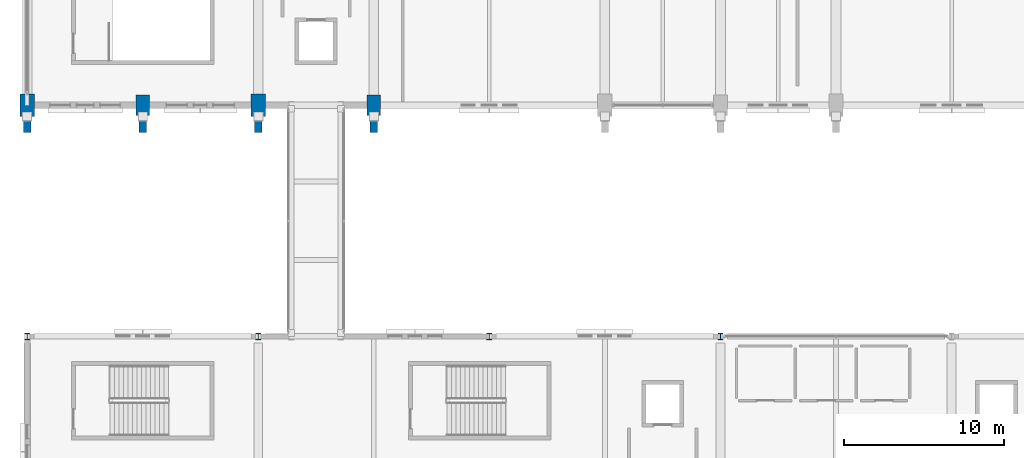
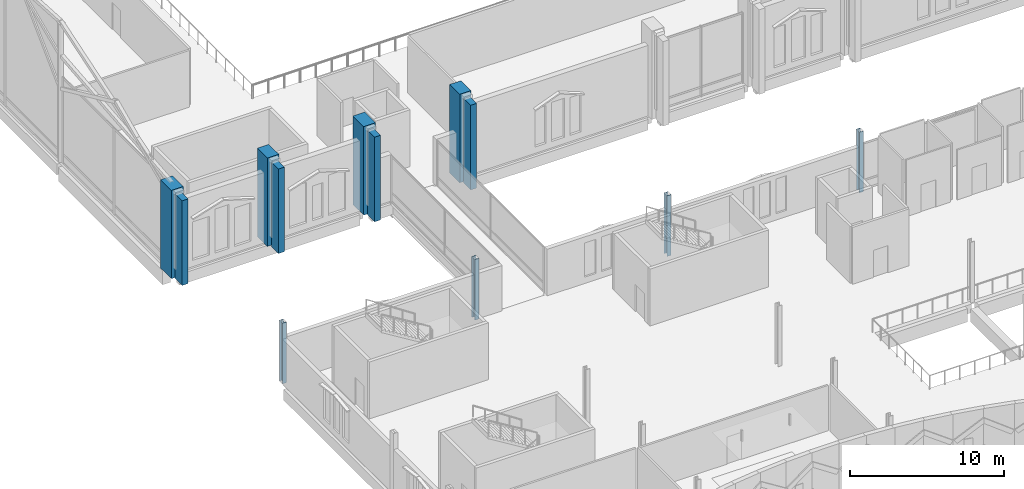
# One storey, part 3 of 220: 12 columns.
"""IFC4 building model written with IfcOpenShell, lengths in metres."""

from ifc_helpers import new_model, si_unit, direction, frame, origin, origin_2d, place, context, subcontext, project, spatial, rectangle, i_section, extrude, material, material_profile, profile_set, type_object, element, save


model = new_model("IFC4")

# Units and contexts
model_context = context("Model", 3, precision=1e-05, world=origin(), true_north=direction((0.0, 1.0)))
body_context = subcontext(model_context, "Body", "Model", "MODEL_VIEW")
ifc_project = project(units=[si_unit("LENGTHUNIT", "METRE"), si_unit("AREAUNIT", "SQUARE_METRE"), si_unit("VOLUMEUNIT", "CUBIC_METRE"), si_unit("PLANEANGLEUNIT", "RADIAN"), si_unit("MASSUNIT", "GRAM", prefix="KILO")], contexts=[model_context])

# Site, building, storey
site_placement = place(None, origin())
site = spatial("IfcSite", under=ifc_project, at=site_placement, CompositionType="ELEMENT")
building_placement = place(site_placement, origin())
building = spatial("IfcBuilding", under=site, at=building_placement, Name="Cendralis Lancet Convention Centre", CompositionType="ELEMENT")
storey_placement = place(building_placement, frame((0.0, 0.0, 5.39990234375)))
storey = spatial("IfcBuildingStorey", under=building, at=storey_placement, Name="L01", CompositionType="ELEMENT", Elevation=5.39990234375)

# Columns
ifc_material_1 = material(Name="Concrete G40 (C40/50)", Category="concrete")
ifc_material_profile_1 = material_profile(ifc_material_1, rectangle(XDim=0.89990234375, YDim=1.39990234375, at=origin_2d()), Name="RC 900x1400")
ifc_profile_set_1 = profile_set([ifc_material_profile_1], Name="Concrete G40 (C40/50)")
column_type_1 = type_object("IfcColumnType", Name="STR-COL-C13", PredefinedType="COLUMN", material=ifc_profile_set_1)
for number, where, z_axis, x_axis, name in (
    (1, (0.0, 50.39990234375, 0.0), (0.0, 0.0, 1.0), (1.0, 0.0, 0.0), "L01 Column C13 at 0.0,50.4"),
    (2, (14.39990234375, 50.39990234375, 0.0), (0.0, 0.0, 1.0), (1.0, 0.0, 0.0), "L01 Column C13 at 14.4,50.4"),
):
    element("IfcColumn", number, at=place(storey_placement, frame(where, z_axis=z_axis, x_axis=x_axis)), inside=storey, type_object=column_type_1, Name=name, PredefinedType="COLUMN", context=body_context, shape_type="SweptSolid", body=[
        extrude(rectangle(XDim=0.89990234375, YDim=1.39990234375, at=origin_2d()), origin(), (0.0, 0.0, 1.0), 7.0),
    ])
ifc_material_profile_2 = material_profile(ifc_material_1, rectangle(XDim=0.85009765625, YDim=1.300048828125, at=origin_2d()), Name="RC 850x1300")
ifc_profile_set_2 = profile_set([ifc_material_profile_2], Name="Concrete G40 (C40/50)")
column_type_2 = type_object("IfcColumnType", Name="STR-COL-C14", PredefinedType="COLUMN", material=ifc_profile_set_2)
for number, where, z_axis, x_axis, name in (
    (3, (7.199951171875, 50.39990234375, 0.0), (0.0, 0.0, 1.0), (1.0, 0.0, 0.0), "L01 Column C14 at 7.2,50.4"),
    (4, (21.60009765625, 50.39990234375, 0.0), (0.0, 0.0, 1.0), (1.0, 0.0, 0.0), "L01 Column C14 at 21.6,50.4"),
):
    element("IfcColumn", number, at=place(storey_placement, frame(where, z_axis=z_axis, x_axis=x_axis)), inside=storey, type_object=column_type_2, Name=name, PredefinedType="COLUMN", context=body_context, shape_type="SweptSolid", body=[
        extrude(rectangle(XDim=0.85009765625, YDim=1.300048828125, at=origin_2d()), origin(), (0.0, 0.0, 1.0), 7.0),
    ])
ifc_material_2 = material(Name="Steel S355", Category="steel")
ifc_material_profile_3 = material_profile(ifc_material_2, i_section(OverallWidth=0.300048828125, OverallDepth=0.39990234375, WebThickness=0.013427734375, FlangeThickness=0.02392578125, FilletRadius=0.027099609375, at=origin_2d()), Name="HEB 400")
ifc_profile_set_3 = profile_set([ifc_material_profile_3], Name="Steel S355")
column_type_3 = type_object("IfcColumnType", Name="STR-COL-C25", PredefinedType="COLUMN", material=ifc_profile_set_3)
for number, where, z_axis, x_axis, name in (
    (5, (0.0, 36.0, 0.0), (0.0, 0.0, 1.0), (1.0, 0.0, 0.0), "L01 Column C25 at 0.0,36.0"),
    (6, (14.39990234375, 36.0, 0.0), (0.0, 0.0, 1.0), (1.0, 0.0, 0.0), "L01 Column C25 at 14.4,36.0"),
    (7, (28.800048828125, 36.0, 0.0), (0.0, 0.0, 1.0), (1.0, 0.0, 0.0), "L01 Column C25 at 28.8,36.0"),
    (8, (43.199951171875, 36.0, 0.0), (0.0, 0.0, 1.0), (1.0, 0.0, 0.0), "L01 Column C25 at 43.2,36.0"),
):
    element("IfcColumn", number, at=place(storey_placement, frame(where, z_axis=z_axis, x_axis=x_axis)), inside=storey, type_object=column_type_3, Name=name, PredefinedType="COLUMN", context=body_context, shape_type="SweptSolid", body=[
        extrude(i_section(OverallWidth=0.300048828125, OverallDepth=0.39990234375, WebThickness=0.013427734375, FlangeThickness=0.02392578125, FilletRadius=0.027099609375, at=origin_2d()), origin(), (0.0, 0.0, 1.0), 4.800048828125),
    ])
ifc_material_profile_4 = material_profile(ifc_material_1, rectangle(XDim=0.449951171875, YDim=0.89990234375, at=origin_2d()), Name="RC 450x900")
ifc_profile_set_4 = profile_set([ifc_material_profile_4], Name="Concrete G40 (C40/50)")
column_type_4 = type_object("IfcColumnType", Name="STR-PIL-PL02", PredefinedType="PILASTER", material=ifc_profile_set_4)
for number, where, z_axis, x_axis, name in (
    (9, (0.0, 49.139892578125, 0.0), (0.0, 0.0, 1.0), (1.0, 0.0, 0.0), "L01 Column PL02 at 0.0,49.1"),
    (10, (7.199951171875, 49.139892578125, 0.0), (0.0, 0.0, 1.0), (1.0, 0.0, 0.0), "L01 Column PL02 at 7.2,49.1"),
    (11, (14.39990234375, 49.139892578125, 0.0), (0.0, 0.0, 1.0), (1.0, 0.0, 0.0), "L01 Column PL02 at 14.4,49.1"),
    (12, (21.60009765625, 49.139892578125, 0.0), (0.0, 0.0, 1.0), (1.0, 0.0, 0.0), "L01 Column PL02 at 21.6,49.1"),
):
    element("IfcColumn", number, at=place(storey_placement, frame(where, z_axis=z_axis, x_axis=x_axis)), inside=storey, type_object=column_type_4, Name=name, PredefinedType="PILASTER", context=body_context, shape_type="SweptSolid", body=[
        extrude(rectangle(XDim=0.449951171875, YDim=0.89990234375, at=origin_2d()), origin(), (0.0, 0.0, 1.0), 6.7001953125),
    ])

save(model, "model.ifc")
